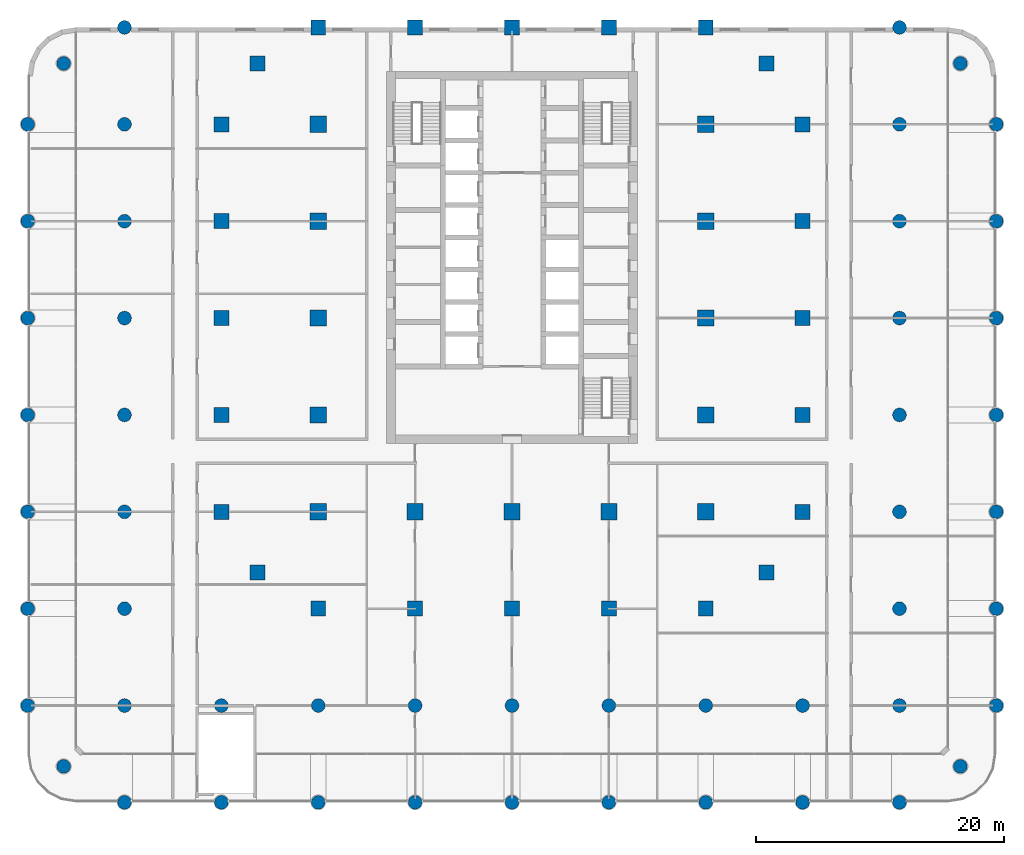
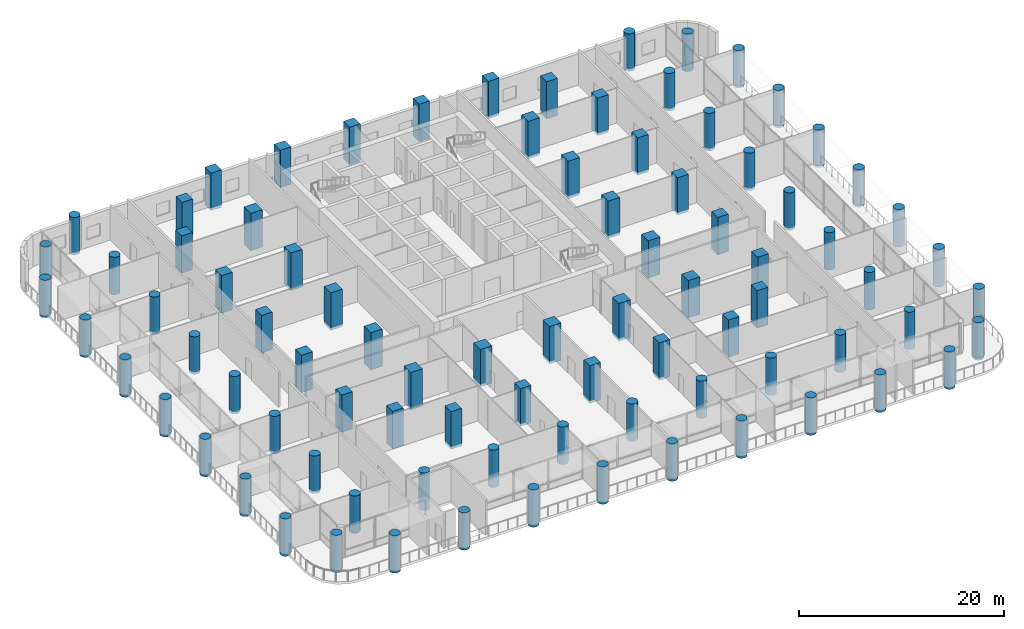
# One storey, part 1 of 23: 87 columns.
"""IFC4 building model written with IfcOpenShell, lengths in metres."""

from ifc_helpers import new_model, si_unit, direction, frame, origin, origin_2d, place, context, subcontext, project, spatial, rectangle, circle, extrude, material, material_profile, profile_set, type_object, element, save


model = new_model("IFC4")

# Units and contexts
model_context = context("Model", 3, precision=1e-05, world=origin(), true_north=direction((0.0, 1.0)))
body_context = subcontext(model_context, "Body", "Model", "MODEL_VIEW")
ifc_project = project(units=[si_unit("LENGTHUNIT", "METRE"), si_unit("AREAUNIT", "SQUARE_METRE"), si_unit("VOLUMEUNIT", "CUBIC_METRE"), si_unit("PLANEANGLEUNIT", "RADIAN"), si_unit("MASSUNIT", "GRAM", prefix="KILO")], contexts=[model_context])

# Site, building, storey
site_placement = place(None, origin())
site = spatial("IfcSite", under=ifc_project, at=site_placement, CompositionType="ELEMENT")
building_placement = place(site_placement, origin())
building = spatial("IfcBuilding", under=site, at=building_placement, Name="Ludao Terraces", CompositionType="ELEMENT")
storey_placement = place(building_placement, frame((0.0, 0.0, 10.5)))
storey = spatial("IfcBuildingStorey", under=building, at=storey_placement, Name="L02", CompositionType="ELEMENT", Elevation=10.5)

# Columns
ifc_material = material(Name="Concrete C60", Category="concrete")
ifc_material_profile_1 = material_profile(ifc_material, rectangle(XDim=1.199951171875, YDim=1.199951171875, at=origin_2d()), Name="1200 X 1200")
ifc_profile_set_1 = profile_set([ifc_material_profile_1], Name="Concrete C60")
column_type_1 = type_object("IfcColumnType", Name="RC column 1200x1200 C60", PredefinedType="COLUMN", material=ifc_profile_set_1)
for number, where, z_axis, x_axis, name in (
    (1, (64.5, 44.5, -0.300048828125), (0.0, 0.0, 1.0), (1.0, 0.0, 0.0), "Column L02 C0029x0029"),
    (2, (105.5, 44.5, -0.300048828125), (0.0, 0.0, 1.0), (1.0, 0.0, 0.0), "Column L02 C0439x0029"),
    (3, (64.5, 85.5, -0.300048828125), (0.0, 0.0, 1.0), (1.0, 0.0, 0.0), "Column L02 C0029x0439"),
    (4, (105.5, 85.5, -0.300048828125), (0.0, 0.0, 1.0), (1.0, 0.0, 0.0), "Column L02 C0439x0439"),
    (5, (61.60009765625, 49.39990234375, -0.300048828125), (0.0, 0.0, 1.0), (1.0, 0.0, 0.0), "Column L02 F0000x0078"),
    (6, (108.39990234375, 49.39990234375, -0.300048828125), (0.0, 0.0, 1.0), (1.0, 0.0, 0.0), "Column L02 F0468x0078"),
    (7, (69.39990234375, 41.60009765625, -0.300048828125), (0.0, 0.0, 1.0), (1.0, 0.0, 0.0), "Column L02 F0078x0000"),
    (8, (69.39990234375, 88.39990234375, -0.300048828125), (0.0, 0.0, 1.0), (1.0, 0.0, 0.0), "Column L02 F0078x0468"),
    (9, (61.60009765625, 57.199951171875, -0.300048828125), (0.0, 0.0, 1.0), (1.0, 0.0, 0.0), "Column L02 F0000x0156"),
    (10, (108.39990234375, 57.199951171875, -0.300048828125), (0.0, 0.0, 1.0), (1.0, 0.0, 0.0), "Column L02 F0468x0156"),
    (11, (77.199951171875, 41.60009765625, -0.300048828125), (0.0, 0.0, 1.0), (1.0, 0.0, 0.0), "Column L02 F0156x0000"),
    (12, (77.199951171875, 88.39990234375, -0.300048828125), (0.0, 0.0, 1.0), (1.0, 0.0, 0.0), "Column L02 F0156x0468"),
    (13, (61.60009765625, 65.0, -0.300048828125), (0.0, 0.0, 1.0), (1.0, 0.0, 0.0), "Column L02 F0000x0234"),
    (14, (108.39990234375, 65.0, -0.300048828125), (0.0, 0.0, 1.0), (1.0, 0.0, 0.0), "Column L02 F0468x0234"),
    (15, (85.0, 41.60009765625, -0.300048828125), (0.0, 0.0, 1.0), (1.0, 0.0, 0.0), "Column L02 F0234x0000"),
    (16, (85.0, 88.39990234375, -0.300048828125), (0.0, 0.0, 1.0), (1.0, 0.0, 0.0), "Column L02 F0234x0468"),
    (17, (61.60009765625, 72.800048828125, -0.300048828125), (0.0, 0.0, 1.0), (1.0, 0.0, 0.0), "Column L02 F0000x0312"),
    (18, (108.39990234375, 72.800048828125, -0.300048828125), (0.0, 0.0, 1.0), (1.0, 0.0, 0.0), "Column L02 F0468x0312"),
    (19, (92.800048828125, 41.60009765625, -0.300048828125), (0.0, 0.0, 1.0), (1.0, 0.0, 0.0), "Column L02 F0312x0000"),
    (20, (92.800048828125, 88.39990234375, -0.300048828125), (0.0, 0.0, 1.0), (1.0, 0.0, 0.0), "Column L02 F0312x0468"),
    (21, (61.60009765625, 80.60009765625, -0.300048828125), (0.0, 0.0, 1.0), (1.0, 0.0, 0.0), "Column L02 F0000x0390"),
    (22, (108.39990234375, 80.60009765625, -0.300048828125), (0.0, 0.0, 1.0), (1.0, 0.0, 0.0), "Column L02 F0468x0390"),
    (23, (100.60009765625, 41.60009765625, -0.300048828125), (0.0, 0.0, 1.0), (1.0, 0.0, 0.0), "Column L02 F0390x0000"),
    (24, (100.60009765625, 88.39990234375, -0.300048828125), (0.0, 0.0, 1.0), (1.0, 0.0, 0.0), "Column L02 F0390x0468"),
):
    element("IfcColumn", number, at=place(storey_placement, frame(where, z_axis=z_axis, x_axis=x_axis)), inside=storey, type_object=column_type_1, Name=name, PredefinedType="COLUMN", context=body_context, shape_type="SweptSolid", body=[
        extrude(rectangle(XDim=1.199951171875, YDim=1.199951171875, at=origin_2d()), origin(), (0.0, 0.0, 1.0), 4.449951171875),
    ])
ifc_material_profile_2 = material_profile(ifc_material, rectangle(XDim=1.300048828125, YDim=1.300048828125, at=origin_2d()), Name="1300 X 1300")
ifc_profile_set_2 = profile_set([ifc_material_profile_2], Name="Concrete C60")
column_type_2 = type_object("IfcColumnType", Name="RC column 1300x1300 C60", PredefinedType="COLUMN", material=ifc_profile_set_2)
for number, where, z_axis, x_axis, name in (
    (25, (69.39990234375, 49.39990234375, -0.300048828125), (0.0, 0.0, 1.0), (1.0, 0.0, 0.0), "Column L02 S0078x0078"),
    (26, (69.39990234375, 57.199951171875, -0.300048828125), (0.0, 0.0, 1.0), (1.0, 0.0, 0.0), "Column L02 S0078x0156"),
    (27, (69.39990234375, 65.0, -0.300048828125), (0.0, 0.0, 1.0), (1.0, 0.0, 0.0), "Column L02 S0078x0234"),
    (28, (69.39990234375, 72.800048828125, -0.300048828125), (0.0, 0.0, 1.0), (1.0, 0.0, 0.0), "Column L02 S0078x0312"),
    (29, (69.39990234375, 80.60009765625, -0.300048828125), (0.0, 0.0, 1.0), (1.0, 0.0, 0.0), "Column L02 S0078x0390"),
    (30, (77.199951171875, 49.39990234375, -0.300048828125), (0.0, 0.0, 1.0), (1.0, 0.0, 0.0), "Column L02 S0156x0078"),
    (31, (85.0, 49.39990234375, -0.300048828125), (0.0, 0.0, 1.0), (1.0, 0.0, 0.0), "Column L02 S0234x0078"),
    (32, (92.800048828125, 49.39990234375, -0.300048828125), (0.0, 0.0, 1.0), (1.0, 0.0, 0.0), "Column L02 S0312x0078"),
    (33, (100.60009765625, 49.39990234375, -0.300048828125), (0.0, 0.0, 1.0), (1.0, 0.0, 0.0), "Column L02 S0390x0078"),
    (34, (100.60009765625, 57.199951171875, -0.300048828125), (0.0, 0.0, 1.0), (1.0, 0.0, 0.0), "Column L02 S0390x0156"),
    (35, (100.60009765625, 65.0, -0.300048828125), (0.0, 0.0, 1.0), (1.0, 0.0, 0.0), "Column L02 S0390x0234"),
    (36, (100.60009765625, 72.800048828125, -0.300048828125), (0.0, 0.0, 1.0), (1.0, 0.0, 0.0), "Column L02 S0390x0312"),
    (37, (100.60009765625, 80.60009765625, -0.300048828125), (0.0, 0.0, 1.0), (1.0, 0.0, 0.0), "Column L02 S0390x0390"),
):
    element("IfcColumn", number, at=place(storey_placement, frame(where, z_axis=z_axis, x_axis=x_axis)), inside=storey, type_object=column_type_2, Name=name, PredefinedType="COLUMN", context=body_context, shape_type="SweptSolid", body=[
        extrude(rectangle(XDim=1.300048828125, YDim=1.300048828125, at=origin_2d()), origin(), (0.0, 0.0, 1.0), 4.449951171875),
    ])
ifc_material_profile_3 = material_profile(ifc_material, circle(Radius=0.550048828125, at=origin_2d()), Name="D1100")
ifc_profile_set_3 = profile_set([ifc_material_profile_3], Name="Concrete C60")
column_type_3 = type_object("IfcColumnType", Name="RC column D1100 C60", PredefinedType="COLUMN", material=ifc_profile_set_3)
for number, where, z_axis, x_axis, name in (
    (38, (48.89990234375, 28.89990234375, -0.300048828125), (0.0, 0.0, 1.0), (1.0, 0.0, 0.0), "Column L02 G-127x-127"),
    (39, (46.0, 33.800048828125, -0.300048828125), (0.0, 0.0, 1.0), (1.0, 0.0, 0.0), "Column L02 G-156x-078"),
    (40, (46.0, 41.60009765625, -0.300048828125), (0.0, 0.0, 1.0), (1.0, 0.0, 0.0), "Column L02 G-156x0000"),
    (41, (46.0, 49.39990234375, -0.300048828125), (0.0, 0.0, 1.0), (1.0, 0.0, 0.0), "Column L02 G-156x0078"),
    (42, (46.0, 57.199951171875, -0.300048828125), (0.0, 0.0, 1.0), (1.0, 0.0, 0.0), "Column L02 G-156x0156"),
    (43, (46.0, 65.0, -0.300048828125), (0.0, 0.0, 1.0), (1.0, 0.0, 0.0), "Column L02 G-156x0234"),
    (44, (46.0, 72.800048828125, -0.300048828125), (0.0, 0.0, 1.0), (1.0, 0.0, 0.0), "Column L02 G-156x0312"),
    (45, (46.0, 80.60009765625, -0.300048828125), (0.0, 0.0, 1.0), (1.0, 0.0, 0.0), "Column L02 G-156x0390"),
    (46, (48.89990234375, 85.5, -0.300048828125), (0.0, 0.0, 1.0), (1.0, 0.0, 0.0), "Column L02 G-127x0439"),
    (47, (53.800048828125, 26.0, -0.300048828125), (0.0, 0.0, 1.0), (1.0, 0.0, 0.0), "Column L02 G-078x-156"),
    (48, (53.800048828125, 33.800048828125, -0.300048828125), (0.0, 0.0, 1.0), (1.0, 0.0, 0.0), "Column L02 G-078x-078"),
    (49, (53.800048828125, 41.60009765625, -0.300048828125), (0.0, 0.0, 1.0), (1.0, 0.0, 0.0), "Column L02 G-078x0000"),
    (50, (53.800048828125, 49.39990234375, -0.300048828125), (0.0, 0.0, 1.0), (1.0, 0.0, 0.0), "Column L02 G-078x0078"),
    (51, (53.800048828125, 57.199951171875, -0.300048828125), (0.0, 0.0, 1.0), (1.0, 0.0, 0.0), "Column L02 G-078x0156"),
    (52, (53.800048828125, 65.0, -0.300048828125), (0.0, 0.0, 1.0), (1.0, 0.0, 0.0), "Column L02 G-078x0234"),
    (53, (53.800048828125, 72.800048828125, -0.300048828125), (0.0, 0.0, 1.0), (1.0, 0.0, 0.0), "Column L02 G-078x0312"),
    (54, (53.800048828125, 80.60009765625, -0.300048828125), (0.0, 0.0, 1.0), (1.0, 0.0, 0.0), "Column L02 G-078x0390"),
    (55, (53.800048828125, 88.39990234375, -0.300048828125), (0.0, 0.0, 1.0), (1.0, 0.0, 0.0), "Column L02 G-078x0468"),
    (56, (61.60009765625, 26.0, -0.300048828125), (0.0, 0.0, 1.0), (1.0, 0.0, 0.0), "Column L02 G0000x-156"),
    (57, (61.60009765625, 33.800048828125, -0.300048828125), (0.0, 0.0, 1.0), (1.0, 0.0, 0.0), "Column L02 G0000x-078"),
    (58, (69.39990234375, 26.0, -0.300048828125), (0.0, 0.0, 1.0), (1.0, 0.0, 0.0), "Column L02 G0078x-156"),
    (59, (69.39990234375, 33.800048828125, -0.300048828125), (0.0, 0.0, 1.0), (1.0, 0.0, 0.0), "Column L02 G0078x-078"),
    (60, (77.199951171875, 26.0, -0.300048828125), (0.0, 0.0, 1.0), (1.0, 0.0, 0.0), "Column L02 G0156x-156"),
    (61, (77.199951171875, 33.800048828125, -0.300048828125), (0.0, 0.0, 1.0), (1.0, 0.0, 0.0), "Column L02 G0156x-078"),
    (62, (85.0, 26.0, -0.300048828125), (0.0, 0.0, 1.0), (1.0, 0.0, 0.0), "Column L02 G0234x-156"),
    (63, (85.0, 33.800048828125, -0.300048828125), (0.0, 0.0, 1.0), (1.0, 0.0, 0.0), "Column L02 G0234x-078"),
    (64, (92.800048828125, 26.0, -0.300048828125), (0.0, 0.0, 1.0), (1.0, 0.0, 0.0), "Column L02 G0312x-156"),
    (65, (92.800048828125, 33.800048828125, -0.300048828125), (0.0, 0.0, 1.0), (1.0, 0.0, 0.0), "Column L02 G0312x-078"),
    (66, (100.60009765625, 26.0, -0.300048828125), (0.0, 0.0, 1.0), (1.0, 0.0, 0.0), "Column L02 G0390x-156"),
    (67, (100.60009765625, 33.800048828125, -0.300048828125), (0.0, 0.0, 1.0), (1.0, 0.0, 0.0), "Column L02 G0390x-078"),
    (68, (108.39990234375, 26.0, -0.300048828125), (0.0, 0.0, 1.0), (1.0, 0.0, 0.0), "Column L02 G0468x-156"),
    (69, (108.39990234375, 33.800048828125, -0.300048828125), (0.0, 0.0, 1.0), (1.0, 0.0, 0.0), "Column L02 G0468x-078"),
    (70, (116.199951171875, 26.0, -0.300048828125), (0.0, 0.0, 1.0), (1.0, 0.0, 0.0), "Column L02 G0546x-156"),
    (71, (116.199951171875, 33.800048828125, -0.300048828125), (0.0, 0.0, 1.0), (1.0, 0.0, 0.0), "Column L02 G0546x-078"),
    (72, (116.199951171875, 41.60009765625, -0.300048828125), (0.0, 0.0, 1.0), (1.0, 0.0, 0.0), "Column L02 G0546x0000"),
    (73, (116.199951171875, 49.39990234375, -0.300048828125), (0.0, 0.0, 1.0), (1.0, 0.0, 0.0), "Column L02 G0546x0078"),
    (74, (116.199951171875, 57.199951171875, -0.300048828125), (0.0, 0.0, 1.0), (1.0, 0.0, 0.0), "Column L02 G0546x0156"),
    (75, (116.199951171875, 65.0, -0.300048828125), (0.0, 0.0, 1.0), (1.0, 0.0, 0.0), "Column L02 G0546x0234"),
    (76, (116.199951171875, 72.800048828125, -0.300048828125), (0.0, 0.0, 1.0), (1.0, 0.0, 0.0), "Column L02 G0546x0312"),
    (77, (116.199951171875, 80.60009765625, -0.300048828125), (0.0, 0.0, 1.0), (1.0, 0.0, 0.0), "Column L02 G0546x0390"),
    (78, (116.199951171875, 88.39990234375, -0.300048828125), (0.0, 0.0, 1.0), (1.0, 0.0, 0.0), "Column L02 G0546x0468"),
    (79, (121.10009765625, 28.89990234375, -0.300048828125), (0.0, 0.0, 1.0), (1.0, 0.0, 0.0), "Column L02 G0595x-127"),
    (80, (124.0, 33.800048828125, -0.300048828125), (0.0, 0.0, 1.0), (1.0, 0.0, 0.0), "Column L02 G0624x-078"),
    (81, (124.0, 41.60009765625, -0.300048828125), (0.0, 0.0, 1.0), (1.0, 0.0, 0.0), "Column L02 G0624x0000"),
    (82, (124.0, 49.39990234375, -0.300048828125), (0.0, 0.0, 1.0), (1.0, 0.0, 0.0), "Column L02 G0624x0078"),
    (83, (124.0, 57.199951171875, -0.300048828125), (0.0, 0.0, 1.0), (1.0, 0.0, 0.0), "Column L02 G0624x0156"),
    (84, (124.0, 65.0, -0.300048828125), (0.0, 0.0, 1.0), (1.0, 0.0, 0.0), "Column L02 G0624x0234"),
    (85, (124.0, 72.800048828125, -0.300048828125), (0.0, 0.0, 1.0), (1.0, 0.0, 0.0), "Column L02 G0624x0312"),
    (86, (124.0, 80.60009765625, -0.300048828125), (0.0, 0.0, 1.0), (1.0, 0.0, 0.0), "Column L02 G0624x0390"),
    (87, (121.10009765625, 85.5, -0.300048828125), (0.0, 0.0, 1.0), (1.0, 0.0, 0.0), "Column L02 G0595x0439"),
):
    element("IfcColumn", number, at=place(storey_placement, frame(where, z_axis=z_axis, x_axis=x_axis)), inside=storey, type_object=column_type_3, Name=name, PredefinedType="COLUMN", context=body_context, shape_type="SweptSolid", body=[
        extrude(circle(Radius=0.550048828125, at=origin_2d()), origin(), (0.0, 0.0, 1.0), 4.449951171875),
    ])

save(model, "model.ifc")
